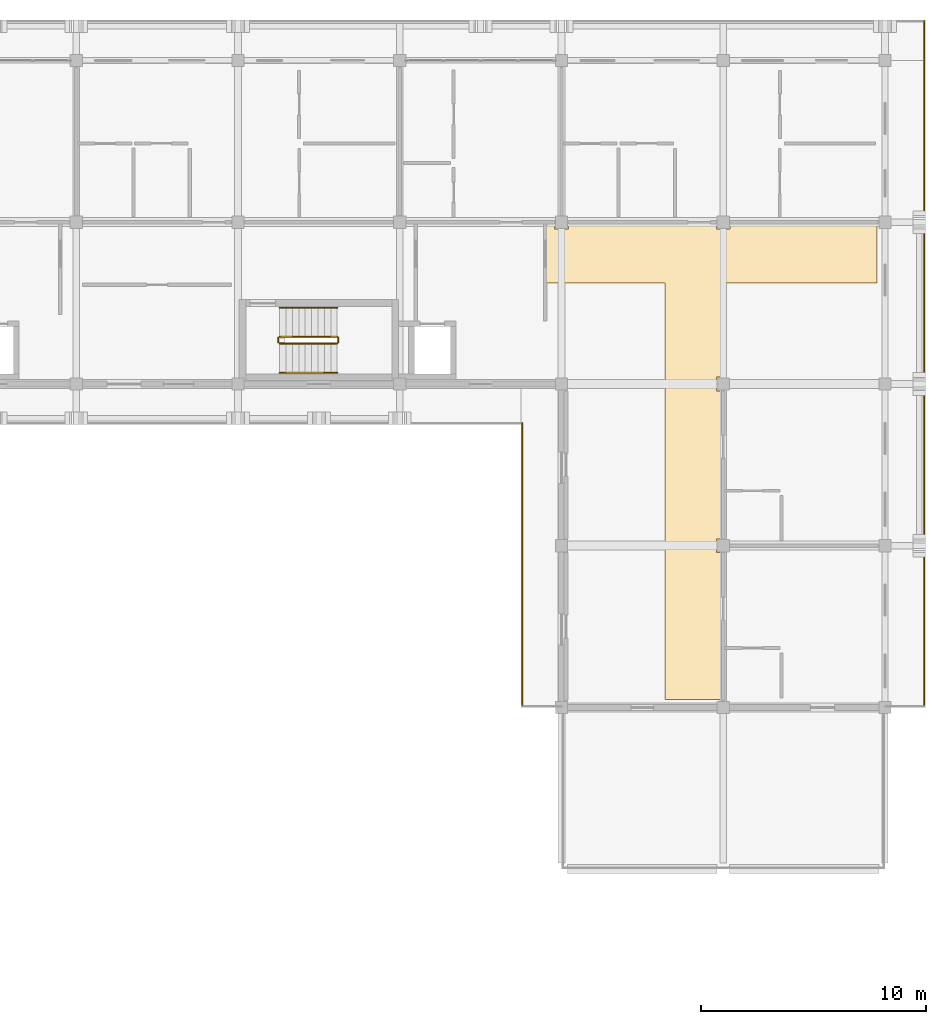
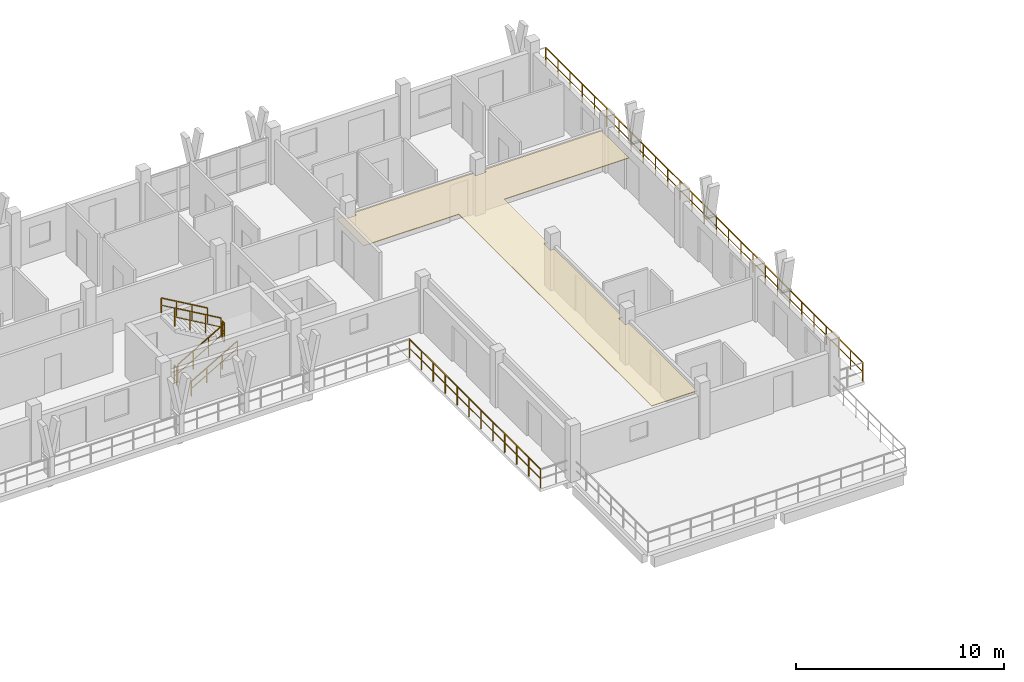
# One storey, part 59 of 60: 8 railings, 1 covering.
"""IFC4 building model written with IfcOpenShell, lengths in metres."""

import ifcopenshell
import ifcopenshell.guid

model = None  # the IFC model being written
_history = None  # IfcOwnerHistory: only IFC2X3 demands one
_inside = {}  # id of a spatial element -> (the spatial element, [elements in it])
_under = {}  # id of a project, library or spatial element -> (it, [spatial elements below it])
_declared = {}  # id of a project -> (the project, [libraries it declares])
_typed = {}  # id of a type object -> (the type object, [elements of that type])
_made_of = {}  # id of a material, layer set ... -> (it, [elements and type objects made of it])


def new_model(schema):
    """Start an empty IFC model of exactly this schema.

    Asked for "IFC4X3", IfcOpenShell would pick the latest addendum, in which some entities
    have other attributes; the version numbers below select the first issue.
    IFC2X3 requires an IfcOwnerHistory on every rooted entity: one is made here for all.
    """
    global model, _history
    if schema == "IFC4X3":
        model = ifcopenshell.file(schema_version=(4, 3, 0, 0))
    else:
        model = ifcopenshell.file(schema=schema)
    _inside.clear()
    _under.clear()
    _declared.clear()
    _typed.clear()
    _made_of.clear()
    _history = None
    if model.schema == "IFC2X3":
        org = make("IfcOrganization", Name="unknown")
        user = make(
            "IfcPersonAndOrganization",
            ThePerson=make("IfcPerson", FamilyName="unknown"),
            TheOrganization=org,
        )
        app = make(
            "IfcApplication",
            ApplicationDeveloper=org,
            Version="unknown",
            ApplicationFullName="unknown",
            ApplicationIdentifier="unknown",
        )
        _history = make(
            "IfcOwnerHistory",
            OwningUser=user,
            OwningApplication=app,
            ChangeAction="ADDED",
            CreationDate=0,
        )
    return model


def make(cls, **values):
    """One entity of the class cls with the attributes given. An attribute that is None is left unset."""
    return model.create_entity(
        cls, **{name: value for name, value in values.items() if value is not None}
    )


def rooted(cls, **values):
    """An entity with a GlobalId (a new one), such as an element, a storey or a relation."""
    return make(cls, GlobalId=ifcopenshell.guid.new(), OwnerHistory=_history, **values)


def si_unit(unit_type, name, prefix=None):
    """IfcSIUnit, for example si_unit("LENGTHUNIT", "METRE", prefix="MILLI")."""
    return make("IfcSIUnit", UnitType=unit_type, Prefix=prefix, Name=name)


def assignment(units):
    """IfcUnitAssignment: the units of a project."""
    return None if units is None else make("IfcUnitAssignment", Units=units)


def point(xyz):
    """IfcCartesianPoint."""
    return None if xyz is None else make("IfcCartesianPoint", Coordinates=xyz)


def direction(xyz):
    """IfcDirection."""
    return None if xyz is None else make("IfcDirection", DirectionRatios=xyz)


def frame(location, z_axis=None, x_axis=None):
    """IfcAxis2Placement3D, a coordinate frame: its origin and axes. An axis left out is left unset."""
    return make(
        "IfcAxis2Placement3D",
        Location=point(location),
        Axis=direction(z_axis),
        RefDirection=direction(x_axis),
    )


def frame_2d(location, x_axis=None):
    """IfcAxis2Placement2D, a coordinate frame in the plane: its origin and x axis."""
    return make(
        "IfcAxis2Placement2D", Location=point(location), RefDirection=direction(x_axis)
    )


def origin():
    """The frame at (0, 0, 0) with its axes left unset."""
    return frame((0.0, 0.0, 0.0))


def origin_2d():
    """The frame at (0, 0) in the plane with its x axis left unset."""
    return frame_2d((0.0, 0.0))


def place(relative_to, where):
    """IfcLocalPlacement: puts the frame where relative to a parent placement (None: the world)."""
    return make(
        "IfcLocalPlacement", PlacementRelTo=relative_to, RelativePlacement=where
    )


def context(
    kind, dimensions, precision=None, world=None, true_north=None, identifier=None
):
    """IfcGeometricRepresentationContext, for example the 3D "Model" context."""
    return make(
        "IfcGeometricRepresentationContext",
        ContextIdentifier=identifier,
        ContextType=kind,
        CoordinateSpaceDimension=dimensions,
        Precision=precision,
        WorldCoordinateSystem=world,
        TrueNorth=true_north,
    )


def subcontext(parent, identifier, kind, view, scale=None):
    """IfcGeometricRepresentationSubContext, for example "Body" below "Model"."""
    return make(
        "IfcGeometricRepresentationSubContext",
        ContextIdentifier=identifier,
        ContextType=kind,
        ParentContext=parent,
        TargetScale=scale,
        TargetView=view,
    )


def project(units=None, contexts=None):
    """IfcProject with its units and contexts."""
    return rooted(
        "IfcProject",
        Name="project",
        RepresentationContexts=contexts,
        UnitsInContext=assignment(units),
    )


def spatial(cls, under=None, at=None, **own):
    """A site, building, storey or space (cls), placed at a placement, below another one or the project."""
    s = rooted(cls, ObjectPlacement=at, **own)
    if under is not None:
        _under.setdefault(under.id(), (under, []))[1].append(s)
    return s


def polyline(points):
    """IfcPolyline through the points."""
    return make("IfcPolyline", Points=[point(p) for p in points])


def profile(cls, at=None, kind="AREA", **sizes):
    """A parametric profile (cls). Its sizes go by their IFC names, for example OverallWidth=200.0."""
    return make(cls, ProfileType=kind, Position=at, **sizes)


def rectangle(**sizes):
    """IfcRectangleProfileDef."""
    return profile("IfcRectangleProfileDef", **sizes)


def outline(outer, holes=None, kind="AREA"):
    """IfcArbitraryClosedProfileDef: a profile drawn as a closed curve; with holes, ...WithVoids."""
    if holes is None:
        return make("IfcArbitraryClosedProfileDef", ProfileType=kind, OuterCurve=outer)
    return make(
        "IfcArbitraryProfileDefWithVoids",
        ProfileType=kind,
        OuterCurve=outer,
        InnerCurves=holes,
    )


def extrude(swept, where, along, depth):
    """IfcExtrudedAreaSolid: the profile swept, set in the frame where, extruded along a direction by depth."""
    return make(
        "IfcExtrudedAreaSolid",
        SweptArea=swept,
        Position=where,
        ExtrudedDirection=direction(along),
        Depth=depth,
    )


def shape(context_of_items, identifier, shape_type, items):
    """IfcShapeRepresentation: the items that make up one representation, for example the "Body"."""
    return make(
        "IfcShapeRepresentation",
        ContextOfItems=context_of_items,
        RepresentationIdentifier=identifier,
        RepresentationType=shape_type,
        Items=items,
    )


def material(Name=None, Category=None):
    """IfcMaterial."""
    return make("IfcMaterial", Name=Name, Category=Category)


def layer(
    of_material, thickness, ventilated=None, Name=None, Category=None, Priority=None
):
    """IfcMaterialLayer: one layer of a wall or slab, of a material (None: an air gap)."""
    return make(
        "IfcMaterialLayer",
        Material=of_material,
        LayerThickness=thickness,
        IsVentilated=ventilated,
        Name=Name,
        Category=Category,
        Priority=Priority,
    )


def layer_set(layers, Name=None):
    """IfcMaterialLayerSet."""
    return make("IfcMaterialLayerSet", MaterialLayers=layers, LayerSetName=Name)


def made_of(thing, what):
    """Note that an element or type object is made of a material, layer set ...; save() writes the relation."""
    if what is not None:
        _made_of.setdefault(what.id(), (what, []))[1].append(thing)
    return thing


def type_object(cls, material=None, **own):
    """A type object (cls), such as IfcWallType, which elements share."""
    return made_of(rooted(cls, **own), material)


def element(
    cls,
    number,
    at=None,
    inside=None,
    cuts=None,
    type_object=None,
    material=None,
    context=None,
    identifier="Body",
    shape_type=None,
    held_by="IfcProductDefinitionShape",
    body=None,
    shapes=None,
    **own,
):
    """One element of the class cls, such as IfcWall. Its Tag is "e" and its number.

    at: its placement. inside: the storey or other place that contains it. cuts: it is an
    opening in that element (IfcRelVoidsElement). A single representation is given by context,
    identifier, shape_type and body (its items); several are given by shapes. held_by: the class
    of the entity that holds the representations. save() writes the other relations.
    """
    e = rooted(cls, Tag="e%d" % number, ObjectPlacement=at, **own)
    if body is not None:
        shapes = [shape(context, identifier, shape_type, body)]
    if shapes is not None:
        e.Representation = make(held_by, Representations=shapes)
    if inside is not None:
        _inside.setdefault(inside.id(), (inside, []))[1].append(e)
    if cuts is not None:
        rooted(
            "IfcRelVoidsElement", RelatingBuildingElement=cuts, RelatedOpeningElement=e
        )
    if type_object is not None:
        _typed.setdefault(type_object.id(), (type_object, []))[1].append(e)
    return made_of(e, material)


def aggregate(whole, parts):
    """IfcRelAggregates: a whole, such as a stair, and the parts it consists of."""
    return rooted("IfcRelAggregates", RelatingObject=whole, RelatedObjects=parts)


def save(model, path):
    """Write the relations noted so far, then the file.

    IfcRelAggregates (storeys below a building ...), IfcRelContainedInSpatialStructure (elements
    in a storey), IfcRelDefinesByType, IfcRelAssociatesMaterial and IfcRelDeclares: one each for
    every whole, place, type object, material and project.
    """
    for whole, parts in _under.values():
        aggregate(whole, parts)
    for where, things in _inside.values():
        rooted(
            "IfcRelContainedInSpatialStructure",
            RelatedElements=things,
            RelatingStructure=where,
        )
    for kind, things in _typed.values():
        rooted("IfcRelDefinesByType", RelatedObjects=things, RelatingType=kind)
    for what, things in _made_of.values():
        rooted("IfcRelAssociatesMaterial", RelatedObjects=things, RelatingMaterial=what)
    for by, libraries in _declared.values():
        rooted("IfcRelDeclares", RelatingContext=by, RelatedDefinitions=libraries)
    model.write(path)


model = new_model("IFC4")

# Units and contexts
model_context = context("Model", 3, precision=1e-05, world=origin(), true_north=direction((0.0, 1.0)))
body_context = subcontext(model_context, "Body", "Model", "MODEL_VIEW")
ifc_project = project(units=[si_unit("LENGTHUNIT", "METRE"), si_unit("AREAUNIT", "SQUARE_METRE"), si_unit("VOLUMEUNIT", "CUBIC_METRE"), si_unit("PLANEANGLEUNIT", "RADIAN"), si_unit("MASSUNIT", "GRAM", prefix="KILO")], contexts=[model_context])

# Site, building, storey
site_placement = place(None, origin())
site = spatial("IfcSite", under=ifc_project, at=site_placement, CompositionType="ELEMENT")
building_placement = place(site_placement, origin())
building = spatial("IfcBuilding", under=site, at=building_placement, Name="Suanplinth Sawtooth Commons", CompositionType="ELEMENT")
storey_placement = place(building_placement, frame((0.0, 0.0, 31.5)))
storey = spatial("IfcBuildingStorey", under=building, at=storey_placement, Name="L09", CompositionType="ELEMENT", Elevation=31.5)

# Covering
ifc_material_1 = material(Name="Mineral fibre acoustic tile")
ifc_layer = layer(ifc_material_1, 0.0400390625, Name="Perforated mineral-fibre acoustic suspended ceiling")
ifc_layer_set = layer_set([ifc_layer], Name="Mineral fibre acoustic tile")
covering_type = type_object("IfcCoveringType", Name="CV-CE01", PredefinedType="CEILING", material=ifc_layer_set)
covering_placement = place(storey_placement, frame((0.0, 0.0, 2.3798828125)))
element("IfcCovering", 1, at=covering_placement, inside=storey, type_object=covering_type, Name="L09 Block B Corridor Acoustic Ceiling", PredefinedType="CEILING", context=body_context, shape_type="SweptSolid", body=[
    extrude(outline(polyline([(172.4951171875, 115.1201171875), (172.4951171875, 114.89501953125), (173.10498046875, 114.89501953125), (173.10498046875, 115.1201171875), (179.695068359375, 115.1201171875), (179.695068359375, 114.89501953125), (180.304931640625, 114.89501953125), (180.304931640625, 115.1201171875), (186.840087890625, 115.1201171875), (186.840087890625, 112.5), (179.919921875, 112.5), (179.919921875, 108.304931640625), (179.695068359375, 108.304931640625), (179.695068359375, 107.695068359375), (179.919921875, 107.695068359375), (179.919921875, 101.10498046875), (179.695068359375, 101.10498046875), (179.695068359375, 100.4951171875), (179.919921875, 100.4951171875), (179.919921875, 93.9599609375), (177.39990234375, 93.9599609375), (177.39990234375, 112.5), (172.1201171875, 112.5), (172.1201171875, 115.1201171875), (172.4951171875, 115.1201171875)])), origin(), (0.0, 0.0, 1.0), 0.0400390625),
])

# Railings
ifc_material_2 = material(Name="Powder-coated galvanized steel", Category="steel")
railing_type_1 = type_object("IfcRailingType", Name="GR-01", PredefinedType="BALUSTRADE", material=ifc_material_2)
railing_1_placement = place(storey_placement, frame((171.06005859375, 93.659912109375, 0.0)))
element("IfcRailing", 2, at=railing_1_placement, inside=storey, type_object=railing_type_1, Name="L09 Block B Perimeter Balustrade 2", PredefinedType="BALUSTRADE", context=body_context, shape_type="SweptSolid", body=[
    extrude(rectangle(XDim=0.048095703125, YDim=0.048095703125, at=origin_2d()), frame((0.0, 0.0, 1.09619140625), z_axis=(0.0, 1.0, 0.0), x_axis=(-1.0, 0.0, 0.0)), (0.0, 0.0, 1.0), 12.60009765625),
    extrude(rectangle(XDim=0.03369140625, YDim=0.03369140625, at=origin_2d()), frame((0.0, 0.0, 0.56005859375), z_axis=(0.0, 1.0, 0.0), x_axis=(-1.0, 0.0, 0.0)), (0.0, 0.0, 1.0), 12.60009765625),
    extrude(rectangle(XDim=0.0419921875, YDim=0.0419921875, at=origin_2d()), origin(), (0.0, 0.0, 1.0), 1.072021484375),
    extrude(rectangle(XDim=0.0419921875, YDim=0.0419921875, at=origin_2d()), frame((0.0, 1.1455078125, 0.0)), (0.0, 0.0, 1.0), 1.072021484375),
    extrude(rectangle(XDim=0.0419921875, YDim=0.0419921875, at=origin_2d()), frame((0.0, 2.291015625, 0.0)), (0.0, 0.0, 1.0), 1.072021484375),
    extrude(rectangle(XDim=0.0419921875, YDim=0.0419921875, at=origin_2d()), frame((0.0, 3.436279296875, 0.0)), (0.0, 0.0, 1.0), 1.072021484375),
    extrude(rectangle(XDim=0.0419921875, YDim=0.0419921875, at=origin_2d()), frame((0.0, 4.581787109375, 0.0)), (0.0, 0.0, 1.0), 1.072021484375),
    extrude(rectangle(XDim=0.0419921875, YDim=0.0419921875, at=origin_2d()), frame((0.0, 5.727294921875, 0.0)), (0.0, 0.0, 1.0), 1.072021484375),
    extrude(rectangle(XDim=0.0419921875, YDim=0.0419921875, at=origin_2d()), frame((0.0, 6.872802734375, 0.0)), (0.0, 0.0, 1.0), 1.072021484375),
    extrude(rectangle(XDim=0.0419921875, YDim=0.0419921875, at=origin_2d()), frame((0.0, 8.018310546875, 0.0)), (0.0, 0.0, 1.0), 1.072021484375),
    extrude(rectangle(XDim=0.0419921875, YDim=0.0419921875, at=origin_2d()), frame((0.0, 9.163818359375, 0.0)), (0.0, 0.0, 1.0), 1.072021484375),
    extrude(rectangle(XDim=0.0419921875, YDim=0.0419921875, at=origin_2d()), frame((0.0, 10.30908203125, 0.0)), (0.0, 0.0, 1.0), 1.072021484375),
    extrude(rectangle(XDim=0.0419921875, YDim=0.0419921875, at=origin_2d()), frame((0.0, 11.45458984375, 0.0)), (0.0, 0.0, 1.0), 1.072021484375),
    extrude(rectangle(XDim=0.0419921875, YDim=0.0419921875, at=origin_2d()), frame((0.0, 12.60009765625, 0.0)), (0.0, 0.0, 1.0), 1.072021484375),
])
railing_2_placement = place(storey_placement, frame((188.93994140625, 124.139892578125, 0.0)))
element("IfcRailing", 3, at=railing_2_placement, inside=storey, type_object=railing_type_1, Name="L09 Block B Perimeter Balustrade 10", PredefinedType="BALUSTRADE", context=body_context, shape_type="SweptSolid", body=[
    extrude(rectangle(XDim=0.048095703125, YDim=0.048095703125, at=origin_2d()), frame((0.0, 0.0, 1.09619140625), z_axis=(0.0, -1.0, 0.0), x_axis=(1.0, 0.0, 0.0)), (0.0, 0.0, 1.0), 30.47998046875),
    extrude(rectangle(XDim=0.03369140625, YDim=0.03369140625, at=origin_2d()), frame((0.0, 0.0, 0.56005859375), z_axis=(0.0, -1.0, 0.0), x_axis=(1.0, 0.0, 0.0)), (0.0, 0.0, 1.0), 30.47998046875),
    extrude(rectangle(XDim=0.0419921875, YDim=0.0419921875, at=origin_2d()), origin(), (0.0, 0.0, 1.0), 1.072021484375),
    extrude(rectangle(XDim=0.0419921875, YDim=0.0419921875, at=origin_2d()), frame((0.0, -1.17236328125, 0.0)), (0.0, 0.0, 1.0), 1.072021484375),
    extrude(rectangle(XDim=0.0419921875, YDim=0.0419921875, at=origin_2d()), frame((0.0, -2.3447265625, 0.0)), (0.0, 0.0, 1.0), 1.072021484375),
    extrude(rectangle(XDim=0.0419921875, YDim=0.0419921875, at=origin_2d()), frame((0.0, -3.516845703125, 0.0)), (0.0, 0.0, 1.0), 1.072021484375),
    extrude(rectangle(XDim=0.0419921875, YDim=0.0419921875, at=origin_2d()), frame((0.0, -4.689208984375, 0.0)), (0.0, 0.0, 1.0), 1.072021484375),
    extrude(rectangle(XDim=0.0419921875, YDim=0.0419921875, at=origin_2d()), frame((0.0, -5.861572265625, 0.0)), (0.0, 0.0, 1.0), 1.072021484375),
    extrude(rectangle(XDim=0.0419921875, YDim=0.0419921875, at=origin_2d()), frame((0.0, -7.033935546875, 0.0)), (0.0, 0.0, 1.0), 1.072021484375),
    extrude(rectangle(XDim=0.0419921875, YDim=0.0419921875, at=origin_2d()), frame((0.0, -8.2060546875, 0.0)), (0.0, 0.0, 1.0), 1.072021484375),
    extrude(rectangle(XDim=0.0419921875, YDim=0.0419921875, at=origin_2d()), frame((0.0, -9.37841796875, 0.0)), (0.0, 0.0, 1.0), 1.072021484375),
    extrude(rectangle(XDim=0.0419921875, YDim=0.0419921875, at=origin_2d()), frame((0.0, -10.55078125, 0.0)), (0.0, 0.0, 1.0), 1.072021484375),
    extrude(rectangle(XDim=0.0419921875, YDim=0.0419921875, at=origin_2d()), frame((0.0, -11.72314453125, 0.0)), (0.0, 0.0, 1.0), 1.072021484375),
    extrude(rectangle(XDim=0.0419921875, YDim=0.0419921875, at=origin_2d()), frame((0.0, -12.895263671875, 0.0)), (0.0, 0.0, 1.0), 1.072021484375),
    extrude(rectangle(XDim=0.0419921875, YDim=0.0419921875, at=origin_2d()), frame((0.0, -14.067626953125, 0.0)), (0.0, 0.0, 1.0), 1.072021484375),
    extrude(rectangle(XDim=0.0419921875, YDim=0.0419921875, at=origin_2d()), frame((0.0, -15.239990234375, 0.0)), (0.0, 0.0, 1.0), 1.072021484375),
    extrude(rectangle(XDim=0.0419921875, YDim=0.0419921875, at=origin_2d()), frame((0.0, -16.412353515625, 0.0)), (0.0, 0.0, 1.0), 1.072021484375),
    extrude(rectangle(XDim=0.0419921875, YDim=0.0419921875, at=origin_2d()), frame((0.0, -17.584716796875, 0.0)), (0.0, 0.0, 1.0), 1.072021484375),
    extrude(rectangle(XDim=0.0419921875, YDim=0.0419921875, at=origin_2d()), frame((0.0, -18.7568359375, 0.0)), (0.0, 0.0, 1.0), 1.072021484375),
    extrude(rectangle(XDim=0.0419921875, YDim=0.0419921875, at=origin_2d()), frame((0.0, -19.92919921875, 0.0)), (0.0, 0.0, 1.0), 1.072021484375),
    extrude(rectangle(XDim=0.0419921875, YDim=0.0419921875, at=origin_2d()), frame((0.0, -21.1015625, 0.0)), (0.0, 0.0, 1.0), 1.072021484375),
    extrude(rectangle(XDim=0.0419921875, YDim=0.0419921875, at=origin_2d()), frame((0.0, -22.27392578125, 0.0)), (0.0, 0.0, 1.0), 1.072021484375),
    extrude(rectangle(XDim=0.0419921875, YDim=0.0419921875, at=origin_2d()), frame((0.0, -23.446044921875, 0.0)), (0.0, 0.0, 1.0), 1.072021484375),
    extrude(rectangle(XDim=0.0419921875, YDim=0.0419921875, at=origin_2d()), frame((0.0, -24.618408203125, 0.0)), (0.0, 0.0, 1.0), 1.072021484375),
    extrude(rectangle(XDim=0.0419921875, YDim=0.0419921875, at=origin_2d()), frame((0.0, -25.790771484375, 0.0)), (0.0, 0.0, 1.0), 1.072021484375),
    extrude(rectangle(XDim=0.0419921875, YDim=0.0419921875, at=origin_2d()), frame((0.0, -26.963134765625, 0.0)), (0.0, 0.0, 1.0), 1.072021484375),
    extrude(rectangle(XDim=0.0419921875, YDim=0.0419921875, at=origin_2d()), frame((0.0, -28.13525390625, 0.0)), (0.0, 0.0, 1.0), 1.072021484375),
    extrude(rectangle(XDim=0.0419921875, YDim=0.0419921875, at=origin_2d()), frame((0.0, -29.3076171875, 0.0)), (0.0, 0.0, 1.0), 1.072021484375),
    extrude(rectangle(XDim=0.0419921875, YDim=0.0419921875, at=origin_2d()), frame((0.0, -30.47998046875, 0.0)), (0.0, 0.0, 1.0), 1.072021484375),
])
ifc_material_3 = material(Name="Stainless steel Grade 304", Category="steel")
railing_type_2 = type_object("IfcRailingType", Name="GR-04", PredefinedType="GUARDRAIL", material=ifc_material_3)
railing_3_placement = place(storey_placement, frame((160.25, 109.800048828125, 0.1650390625)))
element("IfcRailing", 4, at=railing_3_placement, inside=storey, type_object=railing_type_2, Name="L09 ST-E2 Guard 1", PredefinedType="GUARDRAIL", context=body_context, shape_type="SweptSolid", body=[
    extrude(rectangle(XDim=0.048095703125, YDim=0.048095703125, at=origin_2d()), frame((0.0, 0.0, 1.076171875), z_axis=(0.865441324677, 0.0, 0.50101029285), x_axis=(0.0, 1.0, 0.0)), (0.0, 0.0, 1.0), 2.963623046875),
    extrude(rectangle(XDim=0.03369140625, YDim=0.03369140625, at=origin_2d()), frame((0.0, 0.0, 0.550048828125), z_axis=(0.865441324677, 0.0, 0.50101029285), x_axis=(0.0, 1.0, 0.0)), (0.0, 0.0, 1.0), 2.963623046875),
    extrude(rectangle(XDim=0.0419921875, YDim=0.0419921875, at=origin_2d()), origin(), (0.0, 0.0, 1.0), 1.052001953125),
    extrude(rectangle(XDim=0.0419921875, YDim=0.0419921875, at=origin_2d()), frame((0.85498046875, 0.0, 0.494873046875)), (0.0, 0.0, 1.0), 1.052001953125),
    extrude(rectangle(XDim=0.0419921875, YDim=0.0419921875, at=origin_2d()), frame((1.7099609375, 0.0, 0.989990234375)), (0.0, 0.0, 1.0), 1.052001953125),
    extrude(rectangle(XDim=0.0419921875, YDim=0.0419921875, at=origin_2d()), frame((2.56494140625, 0.0, 1.48486328125)), (0.0, 0.0, 1.0), 1.052001953125),
])
railing_4_placement = place(storey_placement, frame((162.864990234375, 109.85009765625, 1.64990234375)))
element("IfcRailing", 5, at=railing_4_placement, inside=storey, type_object=railing_type_2, Name="L09 ST-E2 Guard 2", PredefinedType="GUARDRAIL", context=body_context, shape_type="SweptSolid", body=[
    extrude(rectangle(XDim=0.048095703125, YDim=0.048095703125, at=origin_2d()), frame((0.0, 0.0, 1.076171875), z_axis=(0.0, 1.0, 0.0), x_axis=(-1.0, 0.0, 0.0)), (0.0, 0.0, 1.0), 0.199951171875),
    extrude(rectangle(XDim=0.03369140625, YDim=0.03369140625, at=origin_2d()), frame((0.0, 0.0, 0.550048828125), z_axis=(0.0, 1.0, 0.0), x_axis=(-1.0, 0.0, 0.0)), (0.0, 0.0, 1.0), 0.199951171875),
    extrude(rectangle(XDim=0.0419921875, YDim=0.0419921875, at=origin_2d()), origin(), (0.0, 0.0, 1.0), 1.052001953125),
    extrude(rectangle(XDim=0.0419921875, YDim=0.0419921875, at=origin_2d()), frame((0.0, 0.199951171875, 0.0)), (0.0, 0.0, 1.0), 1.052001953125),
])
railing_5_placement = place(storey_placement, frame((162.81494140625, 110.10009765625, 1.81494140625)))
element("IfcRailing", 6, at=railing_5_placement, inside=storey, type_object=railing_type_2, Name="L09 ST-E2 Guard 3", PredefinedType="GUARDRAIL", context=body_context, shape_type="SweptSolid", body=[
    extrude(rectangle(XDim=0.048095703125, YDim=0.048095703125, at=origin_2d()), frame((0.0, 0.0, 1.076171875), z_axis=(-0.865405606168, 0.0, 0.501071987656), x_axis=(0.0, -1.0, 0.0)), (0.0, 0.0, 1.0), 2.9638671875),
    extrude(rectangle(XDim=0.03369140625, YDim=0.03369140625, at=origin_2d()), frame((0.0, 0.0, 0.550048828125), z_axis=(-0.865405606168, 0.0, 0.501071987656), x_axis=(0.0, -1.0, 0.0)), (0.0, 0.0, 1.0), 2.9638671875),
    extrude(rectangle(XDim=0.0419921875, YDim=0.0419921875, at=origin_2d()), origin(), (0.0, 0.0, 1.0), 1.052001953125),
    extrude(rectangle(XDim=0.0419921875, YDim=0.0419921875, at=origin_2d()), frame((-0.85498046875, 0.0, 0.4951171875)), (0.0, 0.0, 1.0), 1.052001953125),
    extrude(rectangle(XDim=0.0419921875, YDim=0.0419921875, at=origin_2d()), frame((-1.7099609375, 0.0, 0.989990234375)), (0.0, 0.0, 1.0), 1.052001953125),
    extrude(rectangle(XDim=0.0419921875, YDim=0.0419921875, at=origin_2d()), frame((-2.56494140625, 0.0, 1.485107421875)), (0.0, 0.0, 1.0), 1.052001953125),
])
railing_6_placement = place(storey_placement, frame((160.199951171875, 109.85009765625, 0.0)))
element("IfcRailing", 7, at=railing_6_placement, inside=storey, type_object=railing_type_2, Name="L09 ST-E2 Guard 4", PredefinedType="GUARDRAIL", context=body_context, shape_type="SweptSolid", body=[
    extrude(rectangle(XDim=0.048095703125, YDim=0.048095703125, at=origin_2d()), frame((0.0, 0.0, 1.076171875), z_axis=(0.0, 1.0, 0.0), x_axis=(-1.0, 0.0, 0.0)), (0.0, 0.0, 1.0), 0.199951171875),
    extrude(rectangle(XDim=0.03369140625, YDim=0.03369140625, at=origin_2d()), frame((0.0, 0.0, 0.550048828125), z_axis=(0.0, 1.0, 0.0), x_axis=(-1.0, 0.0, 0.0)), (0.0, 0.0, 1.0), 0.199951171875),
    extrude(rectangle(XDim=0.0419921875, YDim=0.0419921875, at=origin_2d()), origin(), (0.0, 0.0, 1.0), 1.052001953125),
    extrude(rectangle(XDim=0.0419921875, YDim=0.0419921875, at=origin_2d()), frame((0.0, 0.199951171875, 0.0)), (0.0, 0.0, 1.0), 1.052001953125),
])
railing_type_3 = type_object("IfcRailingType", Name="HR-01", PredefinedType="HANDRAIL", material=ifc_material_3)
railing_7_placement = place(storey_placement, frame((160.25, 108.5, 0.1650390625)))
element("IfcRailing", 8, at=railing_7_placement, inside=storey, type_object=railing_type_3, Name="L09 ST-E2 Handrail 1", PredefinedType="HANDRAIL", context=body_context, shape_type="SweptSolid", body=[
    extrude(rectangle(XDim=0.048095703125, YDim=0.048095703125, at=origin_2d()), frame((0.0, 0.0, 0.8759765625), z_axis=(0.865441324677, 0.0, 0.50101029285), x_axis=(0.0, 1.0, 0.0)), (0.0, 0.0, 1.0), 2.963623046875),
    extrude(rectangle(XDim=0.03369140625, YDim=0.03369140625, at=origin_2d()), frame((0.0, 0.0, 0.449951171875), z_axis=(0.865441324677, 0.0, 0.50101029285), x_axis=(0.0, 1.0, 0.0)), (0.0, 0.0, 1.0), 2.963623046875),
    extrude(rectangle(XDim=0.0419921875, YDim=0.0419921875, at=origin_2d()), origin(), (0.0, 0.0, 1.0), 0.851806640625),
    extrude(rectangle(XDim=0.0419921875, YDim=0.0419921875, at=origin_2d()), frame((0.85498046875, 0.0, 0.494873046875)), (0.0, 0.0, 1.0), 0.851806640625),
    extrude(rectangle(XDim=0.0419921875, YDim=0.0419921875, at=origin_2d()), frame((1.7099609375, 0.0, 0.989990234375)), (0.0, 0.0, 1.0), 0.851806640625),
    extrude(rectangle(XDim=0.0419921875, YDim=0.0419921875, at=origin_2d()), frame((2.56494140625, 0.0, 1.48486328125)), (0.0, 0.0, 1.0), 0.851806640625),
])
railing_8_placement = place(storey_placement, frame((162.81494140625, 111.39990234375, 1.81494140625)))
element("IfcRailing", 9, at=railing_8_placement, inside=storey, type_object=railing_type_3, Name="L09 ST-E2 Handrail 2", PredefinedType="HANDRAIL", context=body_context, shape_type="SweptSolid", body=[
    extrude(rectangle(XDim=0.048095703125, YDim=0.048095703125, at=origin_2d()), frame((0.0, 0.0, 0.8759765625), z_axis=(-0.865405606168, 0.0, 0.501071987656), x_axis=(0.0, -1.0, 0.0)), (0.0, 0.0, 1.0), 2.9638671875),
    extrude(rectangle(XDim=0.03369140625, YDim=0.03369140625, at=origin_2d()), frame((0.0, 0.0, 0.449951171875), z_axis=(-0.865405606168, 0.0, 0.501071987656), x_axis=(0.0, -1.0, 0.0)), (0.0, 0.0, 1.0), 2.9638671875),
    extrude(rectangle(XDim=0.0419921875, YDim=0.0419921875, at=origin_2d()), origin(), (0.0, 0.0, 1.0), 0.851806640625),
    extrude(rectangle(XDim=0.0419921875, YDim=0.0419921875, at=origin_2d()), frame((-0.85498046875, 0.0, 0.4951171875)), (0.0, 0.0, 1.0), 0.851806640625),
    extrude(rectangle(XDim=0.0419921875, YDim=0.0419921875, at=origin_2d()), frame((-1.7099609375, 0.0, 0.989990234375)), (0.0, 0.0, 1.0), 0.851806640625),
    extrude(rectangle(XDim=0.0419921875, YDim=0.0419921875, at=origin_2d()), frame((-2.56494140625, 0.0, 1.485107421875)), (0.0, 0.0, 1.0), 0.851806640625),
])

save(model, "model.ifc")
